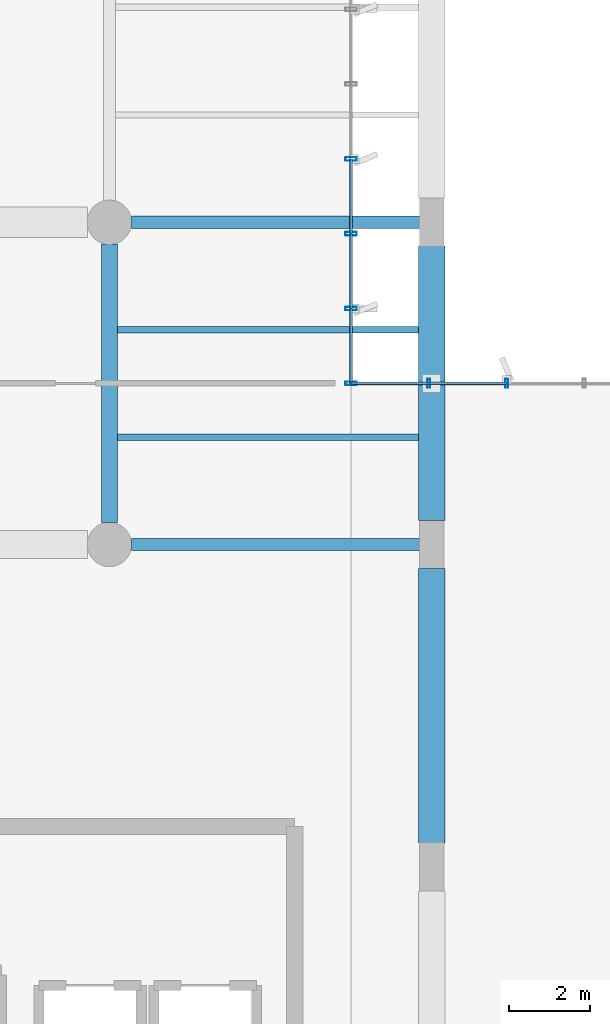
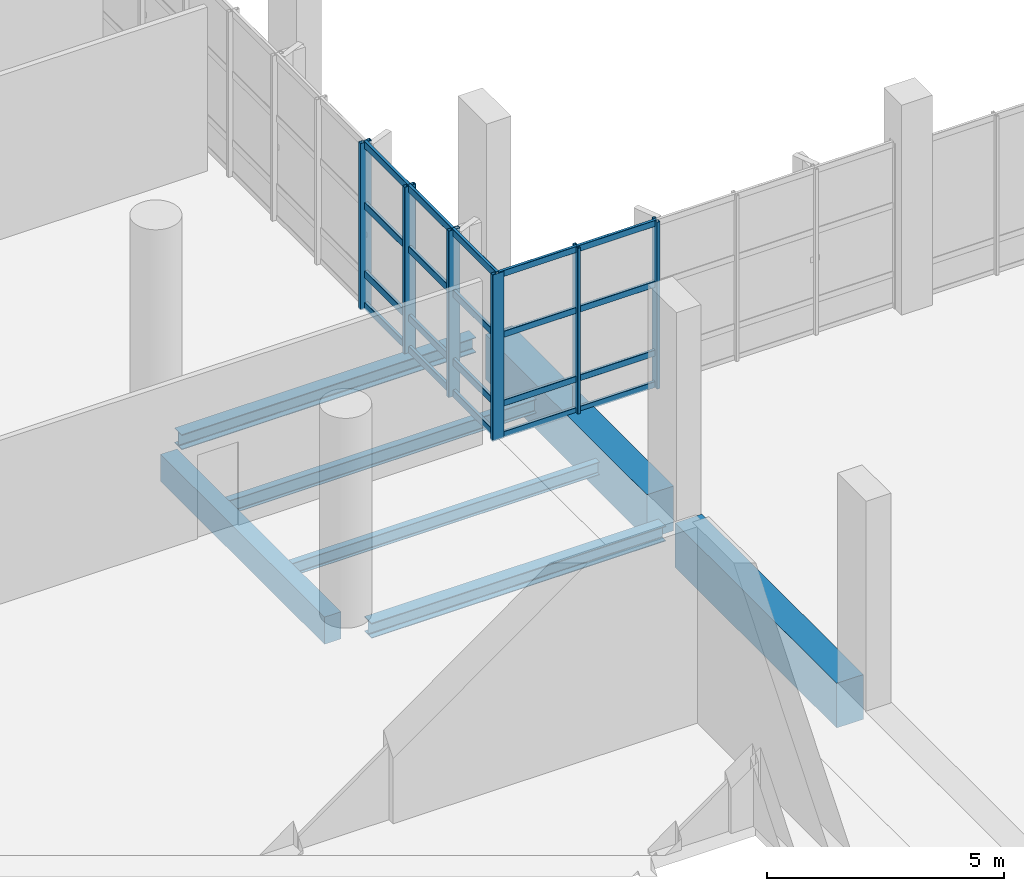
# One storey, part 70 of 176: 26 members, 7 beams, 2 elements without a shape of their own.
"""IFC4 building model written with IfcOpenShell, lengths in metres."""

from ifc_helpers import new_model, si_unit, direction, frame, origin, origin_2d, place, context, subcontext, project, spatial, rectangle, hollow_rectangle, i_section, extrude, material, layer, layer_set, material_profile, profile_set, type_object, element, aggregate, save


model = new_model("IFC4")

# Units and contexts
model_context = context("Model", 3, precision=1e-05, world=origin(), true_north=direction((0.0, 1.0)))
body_context = subcontext(model_context, "Body", "Model", "MODEL_VIEW")
ifc_project = project(units=[si_unit("LENGTHUNIT", "METRE"), si_unit("AREAUNIT", "SQUARE_METRE"), si_unit("VOLUMEUNIT", "CUBIC_METRE"), si_unit("PLANEANGLEUNIT", "RADIAN"), si_unit("MASSUNIT", "GRAM", prefix="KILO")], contexts=[model_context])

# Site, building, storey
site_placement = place(None, origin())
site = spatial("IfcSite", under=ifc_project, at=site_placement, CompositionType="ELEMENT")
building_placement = place(site_placement, origin())
building = spatial("IfcBuilding", under=site, at=building_placement, Name="Khorjan Park Terminus", CompositionType="ELEMENT")
storey_placement = place(building_placement, frame((0.0, 0.0, 6.0)))
storey = spatial("IfcBuildingStorey", under=building, at=storey_placement, Name="L01", CompositionType="ELEMENT", Elevation=6.0)

# Beams
ifc_material_1 = material(Name="Steel S355", Category="steel")
ifc_material_profile_1 = material_profile(ifc_material_1, i_section(OverallWidth=0.3, OverallDepth=0.39, WebThickness=0.011, FlangeThickness=0.019, FilletRadius=0.027, at=origin_2d()), Name="HEA 400")
ifc_profile_set_1 = profile_set([ifc_material_profile_1], Name="Steel S355")
beam_type_1 = type_object("IfcBeamType", Name="BM-HEA400", PredefinedType="BEAM", material=ifc_profile_set_1)
for number, where, z_axis, x_axis, name in (
    (1, (128.545, 44.0, -0.555), (1.0, 0.0, 0.0), (0.0, 1.0, 0.0), "Primary floor girder SB-A40 (L01)"),
    (2, (128.545, 52.0, -0.555), (1.0, 0.0, 0.0), (0.0, 1.0, 0.0), "Primary floor girder SB-A40 (L01)"),
):
    element("IfcBeam", number, at=place(storey_placement, frame(where, z_axis=z_axis, x_axis=x_axis)), inside=storey, type_object=beam_type_1, Name=name, PredefinedType="BEAM", context=body_context, shape_type="SweptSolid", body=[
        extrude(i_section(OverallWidth=0.3, OverallDepth=0.39, WebThickness=0.011, FlangeThickness=0.019, FilletRadius=0.027, at=origin_2d()), origin(), (0.0, 0.0, 1.0), 7.16),
    ])
ifc_material_2 = material(Name="Concrete C40/50", Category="concrete")
ifc_material_profile_2 = material_profile(ifc_material_2, rectangle(XDim=0.4, YDim=0.7, at=origin_2d()), Name="RC 400x700")
ifc_profile_set_2 = profile_set([ifc_material_profile_2], Name="Concrete C40/50")
beam_type_2 = type_object("IfcBeamType", Name="BM-RC400x700", PredefinedType="BEAM", material=ifc_profile_set_2)
beam_1_placement = place(storey_placement, frame((128.0, 44.545, -0.71), z_axis=(0.0, 1.0, 0.0), x_axis=(-1.0, 0.0, 0.0)))
element("IfcBeam", 3, at=beam_1_placement, inside=storey, type_object=beam_type_2, Name="Primary floor girder GB-07 (L01)", PredefinedType="BEAM", context=body_context, shape_type="SweptSolid", body=[
    extrude(rectangle(XDim=0.4, YDim=0.7, at=origin_2d()), origin(), (0.0, 0.0, 1.0), 6.91),
])
ifc_material_profile_3 = material_profile(ifc_material_1, i_section(OverallWidth=0.16, OverallDepth=0.33, WebThickness=0.0075, FlangeThickness=0.0115, FilletRadius=0.018, at=origin_2d()), Name="IPE 330")
ifc_profile_set_3 = profile_set([ifc_material_profile_3], Name="Steel S355")
beam_type_3 = type_object("IfcBeamType", Name="JS-IPE330", PredefinedType="JOIST", material=ifc_profile_set_3)
beam_2_placement = place(storey_placement, frame((128.2, 46.6667, -0.525), z_axis=(1.0, 0.0, 0.0), x_axis=(0.0, 1.0, 0.0)))
element("IfcBeam", 4, at=beam_2_placement, inside=storey, type_object=beam_type_3, Name="Secondary composite floor joist SJ-33 (L01)", PredefinedType="JOIST", context=body_context, shape_type="SweptSolid", body=[
    extrude(i_section(OverallWidth=0.16, OverallDepth=0.33, WebThickness=0.0075, FlangeThickness=0.0115, FilletRadius=0.018, at=origin_2d()), origin(), (0.0, 0.0, 1.0), 7.475),
])
ifc_material_profile_4 = material_profile(ifc_material_1, i_section(OverallWidth=0.17, OverallDepth=0.36, WebThickness=0.008, FlangeThickness=0.0127, FilletRadius=0.018, at=origin_2d()), Name="IPE 360")
ifc_profile_set_4 = profile_set([ifc_material_profile_4], Name="Steel S355")
beam_type_4 = type_object("IfcBeamType", Name="JS-IPE360", PredefinedType="JOIST", material=ifc_profile_set_4)
beam_3_placement = place(storey_placement, frame((128.2, 49.3333, -0.54), z_axis=(1.0, 0.0, 0.0), x_axis=(0.0, 1.0, 0.0)))
element("IfcBeam", 5, at=beam_3_placement, inside=storey, type_object=beam_type_4, Name="Secondary composite floor joist SJ-36 (L01)", PredefinedType="JOIST", context=body_context, shape_type="SweptSolid", body=[
    extrude(i_section(OverallWidth=0.17, OverallDepth=0.36, WebThickness=0.008, FlangeThickness=0.0127, FilletRadius=0.018, at=origin_2d()), origin(), (0.0, 0.0, 1.0), 7.475),
])

# Curtain wall, members
ifc_material_3 = material(Name="Anodized Bronze Aluminium", Category="aluminium")
ifc_layer_1 = layer(ifc_material_3, 0.22)
ifc_layer_set_1 = layer_set([ifc_layer_1], Name="Anodized Bronze Aluminium")
curtain_wall_type_1 = type_object("IfcCurtainWallType", Name="CW-OPS-B", PredefinedType="NOTDEFINED", material=ifc_layer_set_1)
curtain_wall_1_placement = place(storey_placement, origin())
curtain_wall_1 = element("IfcCurtainWall", 6, at=curtain_wall_1_placement, inside=storey, type_object=curtain_wall_type_1, Name="Unitized curtain wall CW-B (CW-V5L-N-L01-1)", PredefinedType="NOTDEFINED")
ifc_material_profile_5 = material_profile(ifc_material_3, hollow_rectangle(XDim=0.075, YDim=0.225, WallThickness=0.005, InnerFilletRadius=0.005, OuterFilletRadius=0.01, at=origin_2d()), Name="ALM 75x225x5")
ifc_profile_set_5 = profile_set([ifc_material_profile_5], Name="Anodized Bronze Aluminium")
member_type_1 = type_object("IfcMemberType", Name="ML-ALM-225", PredefinedType="MULLION", material=ifc_profile_set_5)
member_1_placement = place(storey_placement, frame((137.858, 48.0, -0.035), z_axis=(0.0, 0.0, 1.0), x_axis=(-1.0, 0.0, 0.0)))
member_1 = element("IfcMember", 7, at=member_1_placement, type_object=member_type_1, Name="Curtain-wall mullion ML-22 (CW-V5L-N-L01-1-3)", PredefinedType="MULLION", context=body_context, shape_type="SweptSolid", body=[
    extrude(hollow_rectangle(XDim=0.075, YDim=0.225, WallThickness=0.005, InnerFilletRadius=0.005, OuterFilletRadius=0.01, at=origin_2d()), origin(), (0.0, 0.0, 1.0), 4.295),
])
member_2_placement = place(storey_placement, frame((135.929, 48.0, -0.035), z_axis=(0.0, 0.0, 1.0), x_axis=(-1.0, 0.0, 0.0)))
member_2 = element("IfcMember", 8, at=member_2_placement, type_object=member_type_1, Name="Curtain-wall mullion ML-22 (CW-V5L-N-L01-1-4)", PredefinedType="MULLION", context=body_context, shape_type="SweptSolid", body=[
    extrude(hollow_rectangle(XDim=0.075, YDim=0.225, WallThickness=0.005, InnerFilletRadius=0.005, OuterFilletRadius=0.01, at=origin_2d()), origin(), (0.0, 0.0, 1.0), 4.295),
])

ifc_layer_2 = layer(ifc_material_3, 0.22)
ifc_layer_set_2 = layer_set([ifc_layer_2], Name="Anodized Bronze Aluminium")
curtain_wall_type_2 = type_object("IfcCurtainWallType", Name="CW-CONC-A", PredefinedType="NOTDEFINED", material=ifc_layer_set_2)
curtain_wall_2_placement = place(storey_placement, origin())
curtain_wall_2 = element("IfcCurtainWall", 9, at=curtain_wall_2_placement, inside=storey, type_object=curtain_wall_type_2, Name="Unitized curtain wall CW-A (CW-V2-E-L01-02)", PredefinedType="NOTDEFINED")
ifc_material_profile_6 = material_profile(ifc_material_3, hollow_rectangle(XDim=0.09, YDim=0.28, WallThickness=0.006, InnerFilletRadius=0.006, OuterFilletRadius=0.012, at=origin_2d()), Name="ALM 90x280x6")
ifc_profile_set_6 = profile_set([ifc_material_profile_6], Name="Anodized Bronze Aluminium")
member_type_2 = type_object("IfcMemberType", Name="ML-ALM-280", PredefinedType="MULLION", material=ifc_profile_set_6)
member_3_placement = place(storey_placement, frame((134.0, 48.0, -0.035), z_axis=(0.0, 0.0, 1.0), x_axis=(0.0, 1.0, 0.0)))
member_3 = element("IfcMember", 10, at=member_3_placement, type_object=member_type_2, Name="Curtain-wall mullion ML-28 (CW-V2-E-L01-02-0)", PredefinedType="MULLION", context=body_context, shape_type="SweptSolid", body=[
    extrude(hollow_rectangle(XDim=0.09, YDim=0.28, WallThickness=0.006, InnerFilletRadius=0.006, OuterFilletRadius=0.012, at=origin_2d()), origin(), (0.0, 0.0, 1.0), 4.285),
])
member_4_placement = place(storey_placement, frame((134.0, 49.8571, -0.035), z_axis=(0.0, 0.0, 1.0), x_axis=(0.0, 1.0, 0.0)))
member_4 = element("IfcMember", 11, at=member_4_placement, type_object=member_type_2, Name="Curtain-wall mullion ML-28 (CW-V2-E-L01-02-1)", PredefinedType="MULLION", context=body_context, shape_type="SweptSolid", body=[
    extrude(hollow_rectangle(XDim=0.09, YDim=0.28, WallThickness=0.006, InnerFilletRadius=0.006, OuterFilletRadius=0.012, at=origin_2d()), origin(), (0.0, 0.0, 1.0), 4.285),
])
member_5_placement = place(storey_placement, frame((134.0, 51.7143, -0.035), z_axis=(0.0, 0.0, 1.0), x_axis=(0.0, 1.0, 0.0)))
member_5 = element("IfcMember", 12, at=member_5_placement, type_object=member_type_2, Name="Curtain-wall mullion ML-28 (CW-V2-E-L01-02-2)", PredefinedType="MULLION", context=body_context, shape_type="SweptSolid", body=[
    extrude(hollow_rectangle(XDim=0.09, YDim=0.28, WallThickness=0.006, InnerFilletRadius=0.006, OuterFilletRadius=0.012, at=origin_2d()), origin(), (0.0, 0.0, 1.0), 4.285),
])
member_6_placement = place(storey_placement, frame((134.0, 53.5714, -0.035), z_axis=(0.0, 0.0, 1.0), x_axis=(0.0, 1.0, 0.0)))
member_6 = element("IfcMember", 13, at=member_6_placement, type_object=member_type_2, Name="Curtain-wall mullion ML-28 (CW-V2-E-L01-02-3)", PredefinedType="MULLION", context=body_context, shape_type="SweptSolid", body=[
    extrude(hollow_rectangle(XDim=0.09, YDim=0.28, WallThickness=0.006, InnerFilletRadius=0.006, OuterFilletRadius=0.012, at=origin_2d()), origin(), (0.0, 0.0, 1.0), 4.285),
])

# Beams
ifc_material_4 = material(Name="Concrete C50/60", Category="concrete")
ifc_material_profile_7 = material_profile(ifc_material_4, rectangle(XDim=0.65, YDim=1.15, at=origin_2d()), Name="RC 650x1150")
ifc_profile_set_7 = profile_set([ifc_material_profile_7], Name="Concrete C50/60")
beam_type_5 = type_object("IfcBeamType", Name="SP-RC650x1150", PredefinedType="SPANDREL", material=ifc_profile_set_7)
for number, where, z_axis, x_axis, name in (
    (14, (136.0, 36.595, -0.575), (0.0, 1.0, 0.0), (-1.0, 0.0, 0.0), "Concourse lower colonnade ring beam SP-11 (L01-26)"),
    (15, (136.0, 44.595, -0.575), (0.0, 1.0, 0.0), (-1.0, 0.0, 0.0), "Concourse lower colonnade ring beam SP-11 (L01-28)"),
):
    element("IfcBeam", number, at=place(storey_placement, frame(where, z_axis=z_axis, x_axis=x_axis)), inside=storey, type_object=beam_type_5, Name=name, PredefinedType="SPANDREL", context=body_context, shape_type="SweptSolid", body=[
        extrude(rectangle(XDim=0.65, YDim=1.15, at=origin_2d()), origin(), (0.0, 0.0, 1.0), 6.81),
    ])

# Member
ifc_material_profile_8 = material_profile(ifc_material_3, hollow_rectangle(XDim=0.07, YDim=0.16, WallThickness=0.004, InnerFilletRadius=0.004, OuterFilletRadius=0.008, at=origin_2d()), Name="ALT 70x160x4")
ifc_profile_set_8 = profile_set([ifc_material_profile_8], Name="Anodized Bronze Aluminium")
member_type_3 = type_object("IfcMemberType", Name="TR-ALT-160", PredefinedType="USERDEFINED", material=ifc_profile_set_8)
member_7_placement = place(storey_placement, frame((137.858, 48.0, 0.04), z_axis=(-1.0, 0.0, 0.0), x_axis=(0.0, -1.0, 0.0)))
member_7 = element("IfcMember", 16, at=member_7_placement, type_object=member_type_3, Name="Curtain-wall transom TR-16 (CW-V5L-N-L01-1-3-1)", ObjectType="TRANSOM", PredefinedType="USERDEFINED", context=body_context, shape_type="SweptSolid", body=[
    extrude(hollow_rectangle(XDim=0.07, YDim=0.16, WallThickness=0.004, InnerFilletRadius=0.004, OuterFilletRadius=0.008, at=origin_2d()), origin(), (0.0, 0.0, 1.0), 1.929),
])

member_8_placement = place(storey_placement, frame((137.858, 48.0, 0.85), z_axis=(-1.0, 0.0, 0.0), x_axis=(0.0, -1.0, 0.0)))
member_8 = element("IfcMember", 17, at=member_8_placement, type_object=member_type_3, Name="Curtain-wall transom TR-16 (CW-V5L-N-L01-1-3-2)", ObjectType="TRANSOM", PredefinedType="USERDEFINED", context=body_context, shape_type="SweptSolid", body=[
    extrude(hollow_rectangle(XDim=0.07, YDim=0.16, WallThickness=0.004, InnerFilletRadius=0.004, OuterFilletRadius=0.008, at=origin_2d()), origin(), (0.0, 0.0, 1.0), 1.929),
])

member_9_placement = place(storey_placement, frame((137.858, 48.0, 2.6195), z_axis=(-1.0, 0.0, 0.0), x_axis=(0.0, -1.0, 0.0)))
member_9 = element("IfcMember", 18, at=member_9_placement, type_object=member_type_3, Name="Curtain-wall transom TR-16 (CW-V5L-N-L01-1-3-3)", ObjectType="TRANSOM", PredefinedType="USERDEFINED", context=body_context, shape_type="SweptSolid", body=[
    extrude(hollow_rectangle(XDim=0.07, YDim=0.16, WallThickness=0.004, InnerFilletRadius=0.004, OuterFilletRadius=0.008, at=origin_2d()), origin(), (0.0, 0.0, 1.0), 1.929),
])

member_10_placement = place(storey_placement, frame((137.858, 48.0, 4.185), z_axis=(-1.0, 0.0, 0.0), x_axis=(0.0, -1.0, 0.0)))
member_10 = element("IfcMember", 19, at=member_10_placement, type_object=member_type_3, Name="Curtain-wall transom TR-16 (CW-V5L-N-L01-1-3-4)", ObjectType="TRANSOM", PredefinedType="USERDEFINED", context=body_context, shape_type="SweptSolid", body=[
    extrude(hollow_rectangle(XDim=0.07, YDim=0.16, WallThickness=0.004, InnerFilletRadius=0.004, OuterFilletRadius=0.008, at=origin_2d()), origin(), (0.0, 0.0, 1.0), 1.929),
])

member_11_placement = place(storey_placement, frame((135.929, 48.0, 0.04), z_axis=(-1.0, 0.0, 0.0), x_axis=(0.0, -1.0, 0.0)))
member_11 = element("IfcMember", 20, at=member_11_placement, type_object=member_type_3, Name="Curtain-wall transom TR-16 (CW-V5L-N-L01-1-4-1)", ObjectType="TRANSOM", PredefinedType="USERDEFINED", context=body_context, shape_type="SweptSolid", body=[
    extrude(hollow_rectangle(XDim=0.07, YDim=0.16, WallThickness=0.004, InnerFilletRadius=0.004, OuterFilletRadius=0.008, at=origin_2d()), origin(), (0.0, 0.0, 1.0), 1.929),
])

member_12_placement = place(storey_placement, frame((135.929, 48.0, 0.85), z_axis=(-1.0, 0.0, 0.0), x_axis=(0.0, -1.0, 0.0)))
member_12 = element("IfcMember", 21, at=member_12_placement, type_object=member_type_3, Name="Curtain-wall transom TR-16 (CW-V5L-N-L01-1-4-2)", ObjectType="TRANSOM", PredefinedType="USERDEFINED", context=body_context, shape_type="SweptSolid", body=[
    extrude(hollow_rectangle(XDim=0.07, YDim=0.16, WallThickness=0.004, InnerFilletRadius=0.004, OuterFilletRadius=0.008, at=origin_2d()), origin(), (0.0, 0.0, 1.0), 1.929),
])

member_13_placement = place(storey_placement, frame((135.929, 48.0, 2.6195), z_axis=(-1.0, 0.0, 0.0), x_axis=(0.0, -1.0, 0.0)))
member_13 = element("IfcMember", 22, at=member_13_placement, type_object=member_type_3, Name="Curtain-wall transom TR-16 (CW-V5L-N-L01-1-4-3)", ObjectType="TRANSOM", PredefinedType="USERDEFINED", context=body_context, shape_type="SweptSolid", body=[
    extrude(hollow_rectangle(XDim=0.07, YDim=0.16, WallThickness=0.004, InnerFilletRadius=0.004, OuterFilletRadius=0.008, at=origin_2d()), origin(), (0.0, 0.0, 1.0), 1.929),
])

member_14_placement = place(storey_placement, frame((135.929, 48.0, 4.185), z_axis=(-1.0, 0.0, 0.0), x_axis=(0.0, -1.0, 0.0)))
member_14 = element("IfcMember", 23, at=member_14_placement, type_object=member_type_3, Name="Curtain-wall transom TR-16 (CW-V5L-N-L01-1-4-4)", ObjectType="TRANSOM", PredefinedType="USERDEFINED", context=body_context, shape_type="SweptSolid", body=[
    extrude(hollow_rectangle(XDim=0.07, YDim=0.16, WallThickness=0.004, InnerFilletRadius=0.004, OuterFilletRadius=0.008, at=origin_2d()), origin(), (0.0, 0.0, 1.0), 1.929),
])

aggregate(curtain_wall_1, [member_1, member_2, member_7, member_8, member_9, member_10, member_11, member_12, member_13, member_14])

ifc_material_profile_9 = material_profile(ifc_material_3, hollow_rectangle(XDim=0.075, YDim=0.185, WallThickness=0.005, InnerFilletRadius=0.005, OuterFilletRadius=0.01, at=origin_2d()), Name="ALT 75x185x5")
ifc_profile_set_9 = profile_set([ifc_material_profile_9], Name="Anodized Bronze Aluminium")
member_type_4 = type_object("IfcMemberType", Name="TR-ALT-185", PredefinedType="USERDEFINED", material=ifc_profile_set_9)
member_15_placement = place(storey_placement, frame((134.0, 48.0, 0.04), z_axis=(0.0, 1.0, 0.0), x_axis=(-1.0, 0.0, 0.0)))
member_15 = element("IfcMember", 24, at=member_15_placement, type_object=member_type_4, Name="Curtain-wall transom TR-18 (CW-V2-E-L01-02-0-1)", ObjectType="TRANSOM", PredefinedType="USERDEFINED", context=body_context, shape_type="SweptSolid", body=[
    extrude(hollow_rectangle(XDim=0.075, YDim=0.185, WallThickness=0.005, InnerFilletRadius=0.005, OuterFilletRadius=0.01, at=origin_2d()), origin(), (0.0, 0.0, 1.0), 1.8571),
])

member_16_placement = place(storey_placement, frame((134.0, 48.0, 0.85), z_axis=(0.0, 1.0, 0.0), x_axis=(-1.0, 0.0, 0.0)))
member_16 = element("IfcMember", 25, at=member_16_placement, type_object=member_type_4, Name="Curtain-wall transom TR-18 (CW-V2-E-L01-02-0-2)", ObjectType="TRANSOM", PredefinedType="USERDEFINED", context=body_context, shape_type="SweptSolid", body=[
    extrude(hollow_rectangle(XDim=0.075, YDim=0.185, WallThickness=0.005, InnerFilletRadius=0.005, OuterFilletRadius=0.01, at=origin_2d()), origin(), (0.0, 0.0, 1.0), 1.8571),
])

member_17_placement = place(storey_placement, frame((134.0, 48.0, 2.6133), z_axis=(0.0, 1.0, 0.0), x_axis=(-1.0, 0.0, 0.0)))
member_17 = element("IfcMember", 26, at=member_17_placement, type_object=member_type_4, Name="Curtain-wall transom TR-18 (CW-V2-E-L01-02-0-3)", ObjectType="TRANSOM", PredefinedType="USERDEFINED", context=body_context, shape_type="SweptSolid", body=[
    extrude(hollow_rectangle(XDim=0.075, YDim=0.185, WallThickness=0.005, InnerFilletRadius=0.005, OuterFilletRadius=0.01, at=origin_2d()), origin(), (0.0, 0.0, 1.0), 1.8571),
])

member_18_placement = place(storey_placement, frame((134.0, 48.0, 4.175), z_axis=(0.0, 1.0, 0.0), x_axis=(-1.0, 0.0, 0.0)))
member_18 = element("IfcMember", 27, at=member_18_placement, type_object=member_type_4, Name="Curtain-wall transom TR-18 (CW-V2-E-L01-02-0-4)", ObjectType="TRANSOM", PredefinedType="USERDEFINED", context=body_context, shape_type="SweptSolid", body=[
    extrude(hollow_rectangle(XDim=0.075, YDim=0.185, WallThickness=0.005, InnerFilletRadius=0.005, OuterFilletRadius=0.01, at=origin_2d()), origin(), (0.0, 0.0, 1.0), 1.8571),
])

member_19_placement = place(storey_placement, frame((134.0, 49.8571, 0.04), z_axis=(0.0, 1.0, 0.0), x_axis=(-1.0, 0.0, 0.0)))
member_19 = element("IfcMember", 28, at=member_19_placement, type_object=member_type_4, Name="Curtain-wall transom TR-18 (CW-V2-E-L01-02-1-1)", ObjectType="TRANSOM", PredefinedType="USERDEFINED", context=body_context, shape_type="SweptSolid", body=[
    extrude(hollow_rectangle(XDim=0.075, YDim=0.185, WallThickness=0.005, InnerFilletRadius=0.005, OuterFilletRadius=0.01, at=origin_2d()), origin(), (0.0, 0.0, 1.0), 1.8572),
])

member_20_placement = place(storey_placement, frame((134.0, 49.8571, 0.85), z_axis=(0.0, 1.0, 0.0), x_axis=(-1.0, 0.0, 0.0)))
member_20 = element("IfcMember", 29, at=member_20_placement, type_object=member_type_4, Name="Curtain-wall transom TR-18 (CW-V2-E-L01-02-1-2)", ObjectType="TRANSOM", PredefinedType="USERDEFINED", context=body_context, shape_type="SweptSolid", body=[
    extrude(hollow_rectangle(XDim=0.075, YDim=0.185, WallThickness=0.005, InnerFilletRadius=0.005, OuterFilletRadius=0.01, at=origin_2d()), origin(), (0.0, 0.0, 1.0), 1.8572),
])

member_21_placement = place(storey_placement, frame((134.0, 49.8571, 2.6133), z_axis=(0.0, 1.0, 0.0), x_axis=(-1.0, 0.0, 0.0)))
member_21 = element("IfcMember", 30, at=member_21_placement, type_object=member_type_4, Name="Curtain-wall transom TR-18 (CW-V2-E-L01-02-1-3)", ObjectType="TRANSOM", PredefinedType="USERDEFINED", context=body_context, shape_type="SweptSolid", body=[
    extrude(hollow_rectangle(XDim=0.075, YDim=0.185, WallThickness=0.005, InnerFilletRadius=0.005, OuterFilletRadius=0.01, at=origin_2d()), origin(), (0.0, 0.0, 1.0), 1.8572),
])

member_22_placement = place(storey_placement, frame((134.0, 49.8571, 4.175), z_axis=(0.0, 1.0, 0.0), x_axis=(-1.0, 0.0, 0.0)))
member_22 = element("IfcMember", 31, at=member_22_placement, type_object=member_type_4, Name="Curtain-wall transom TR-18 (CW-V2-E-L01-02-1-4)", ObjectType="TRANSOM", PredefinedType="USERDEFINED", context=body_context, shape_type="SweptSolid", body=[
    extrude(hollow_rectangle(XDim=0.075, YDim=0.185, WallThickness=0.005, InnerFilletRadius=0.005, OuterFilletRadius=0.01, at=origin_2d()), origin(), (0.0, 0.0, 1.0), 1.8572),
])

member_23_placement = place(storey_placement, frame((134.0, 51.7143, 0.04), z_axis=(0.0, 1.0, 0.0), x_axis=(-1.0, 0.0, 0.0)))
member_23 = element("IfcMember", 32, at=member_23_placement, type_object=member_type_4, Name="Curtain-wall transom TR-18 (CW-V2-E-L01-02-2-1)", ObjectType="TRANSOM", PredefinedType="USERDEFINED", context=body_context, shape_type="SweptSolid", body=[
    extrude(hollow_rectangle(XDim=0.075, YDim=0.185, WallThickness=0.005, InnerFilletRadius=0.005, OuterFilletRadius=0.01, at=origin_2d()), origin(), (0.0, 0.0, 1.0), 1.8571),
])

member_24_placement = place(storey_placement, frame((134.0, 51.7143, 0.85), z_axis=(0.0, 1.0, 0.0), x_axis=(-1.0, 0.0, 0.0)))
member_24 = element("IfcMember", 33, at=member_24_placement, type_object=member_type_4, Name="Curtain-wall transom TR-18 (CW-V2-E-L01-02-2-2)", ObjectType="TRANSOM", PredefinedType="USERDEFINED", context=body_context, shape_type="SweptSolid", body=[
    extrude(hollow_rectangle(XDim=0.075, YDim=0.185, WallThickness=0.005, InnerFilletRadius=0.005, OuterFilletRadius=0.01, at=origin_2d()), origin(), (0.0, 0.0, 1.0), 1.8571),
])

member_25_placement = place(storey_placement, frame((134.0, 51.7143, 2.6133), z_axis=(0.0, 1.0, 0.0), x_axis=(-1.0, 0.0, 0.0)))
member_25 = element("IfcMember", 34, at=member_25_placement, type_object=member_type_4, Name="Curtain-wall transom TR-18 (CW-V2-E-L01-02-2-3)", ObjectType="TRANSOM", PredefinedType="USERDEFINED", context=body_context, shape_type="SweptSolid", body=[
    extrude(hollow_rectangle(XDim=0.075, YDim=0.185, WallThickness=0.005, InnerFilletRadius=0.005, OuterFilletRadius=0.01, at=origin_2d()), origin(), (0.0, 0.0, 1.0), 1.8571),
])

member_26_placement = place(storey_placement, frame((134.0, 51.7143, 4.175), z_axis=(0.0, 1.0, 0.0), x_axis=(-1.0, 0.0, 0.0)))
member_26 = element("IfcMember", 35, at=member_26_placement, type_object=member_type_4, Name="Curtain-wall transom TR-18 (CW-V2-E-L01-02-2-4)", ObjectType="TRANSOM", PredefinedType="USERDEFINED", context=body_context, shape_type="SweptSolid", body=[
    extrude(hollow_rectangle(XDim=0.075, YDim=0.185, WallThickness=0.005, InnerFilletRadius=0.005, OuterFilletRadius=0.01, at=origin_2d()), origin(), (0.0, 0.0, 1.0), 1.8571),
])

aggregate(curtain_wall_2, [member_3, member_4, member_5, member_6, member_15, member_16, member_17, member_18, member_19, member_20, member_21, member_22, member_23, member_24, member_25, member_26])

save(model, "model.ifc")
